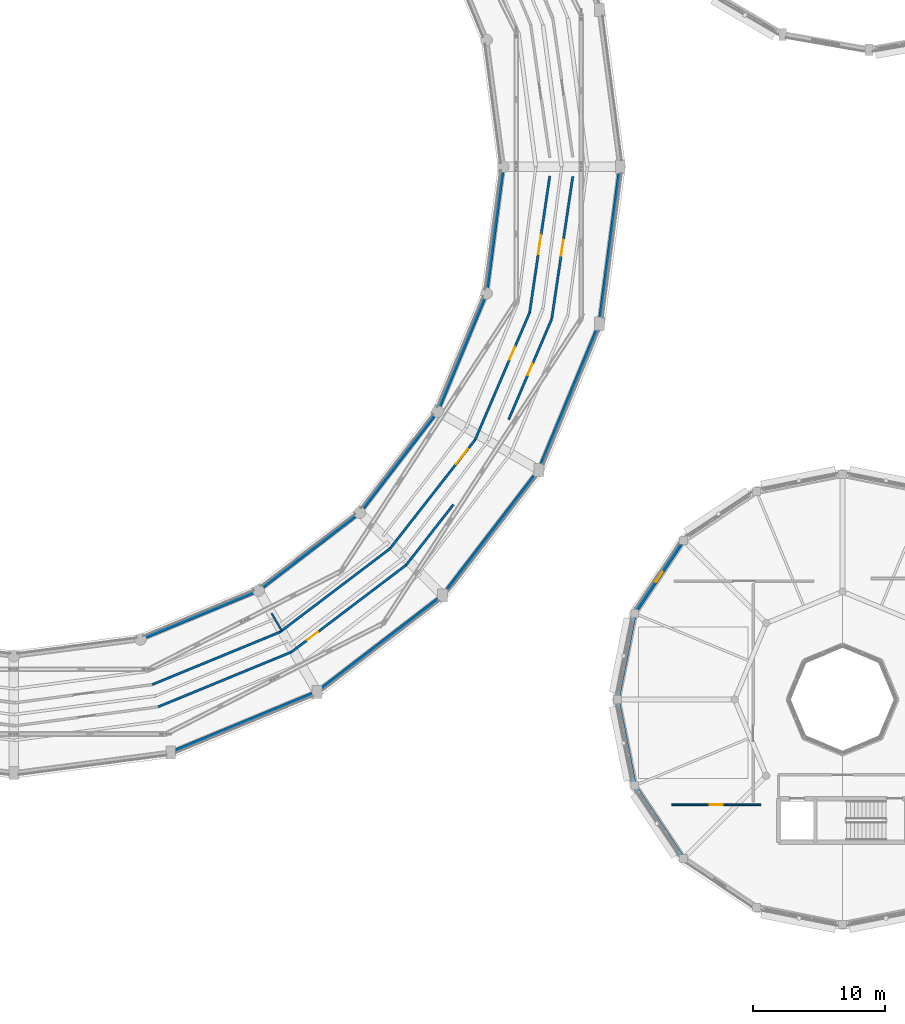
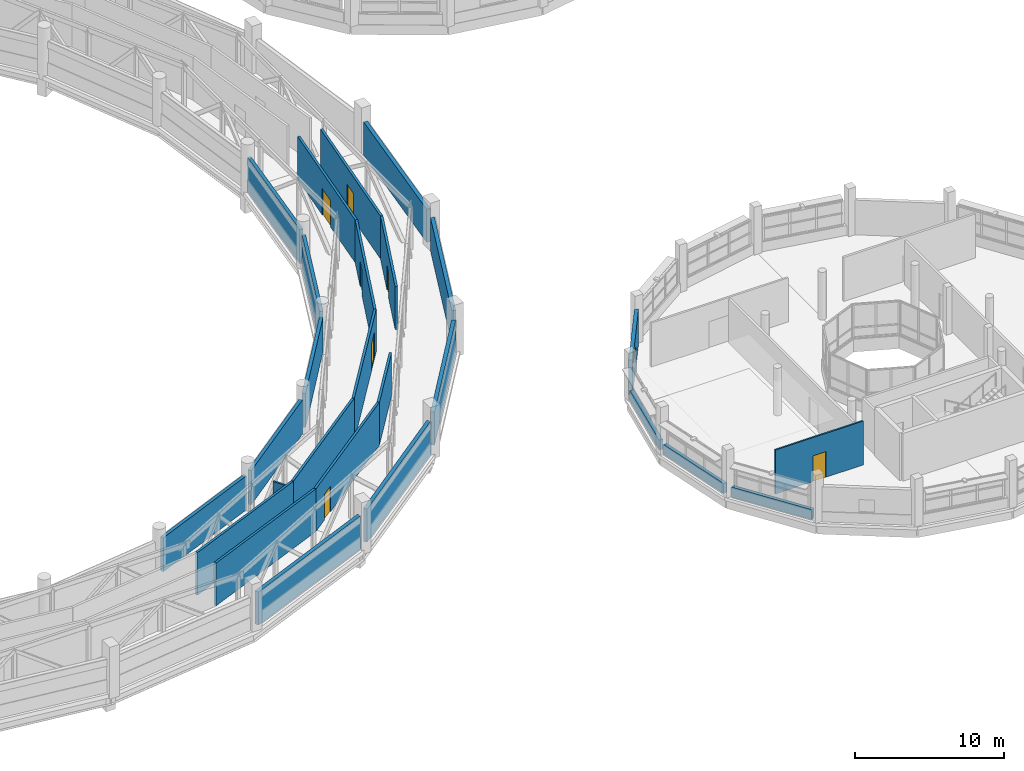
# One storey, part 102 of 121: 26 walls, 7 doors, 1 window, 8 openings.
"""IFC4 building model written with IfcOpenShell, lengths in metres."""

from ifc_helpers import new_model, si_unit, direction, frame, frame_2d, origin, place, context, subcontext, project, spatial, rectangle, extrude, material, layer, layer_set, type_object, element, fill, save


model = new_model("IFC4")

# Units and contexts
model_context = context("Model", 3, precision=1e-05, world=origin(), true_north=direction((0.0, 1.0)))
body_context = subcontext(model_context, "Body", "Model", "MODEL_VIEW")
ifc_project = project(units=[si_unit("LENGTHUNIT", "METRE"), si_unit("AREAUNIT", "SQUARE_METRE"), si_unit("VOLUMEUNIT", "CUBIC_METRE"), si_unit("PLANEANGLEUNIT", "RADIAN"), si_unit("MASSUNIT", "GRAM", prefix="KILO")], contexts=[model_context])

# Site, building, storey
site_placement = place(None, origin())
site = spatial("IfcSite", under=ifc_project, at=site_placement, CompositionType="ELEMENT")
building_placement = place(site_placement, origin())
building = spatial("IfcBuilding", under=site, at=building_placement, Name="Vespera Passage Community Centre", CompositionType="ELEMENT")
storey_placement = place(building_placement, frame((0.0, 0.0, 8.699951171875)))
storey = spatial("IfcBuildingStorey", under=building, at=storey_placement, Name="L02", CompositionType="ELEMENT", Elevation=8.699951171875)

# Walls
ifc_material_1 = material(Name="Gypsum board acoustic stud partition")
ifc_layer_1 = layer(ifc_material_1, 0.179931640625)
ifc_layer_set_1 = layer_set([ifc_layer_1], Name="Gypsum board acoustic stud partition")
wall_type_1 = type_object("IfcWallType", Name="WT-CORR-180I", PredefinedType="PARTITIONING", material=ifc_layer_set_1)
wall_1_placement = place(storey_placement, frame((88.97216796875, 24.44091796875, 0.0), z_axis=(0.0, 0.0, 1.0), x_axis=(0.924781004089, 0.380499795633, 0.0)))
element("IfcWall", 1, at=wall_1_placement, inside=storey, type_object=wall_type_1, Name="L02 Interior Partition V4-L02-CO20.1", PredefinedType="PARTITIONING", context=body_context, shape_type="SweptSolid", body=[
    extrude(rectangle(XDim=10.953369140625, YDim=0.179931640625, at=frame_2d((5.4765625, 0.0))), origin(), (0.0, 0.0, 1.0), 3.4951171875),
])
wall_2_placement = place(storey_placement, frame((88.5205078125, 26.131591796875, 0.0), z_axis=(0.0, 0.0, 1.0), x_axis=(0.924779649811, 0.380503087104, 0.0)))
element("IfcWall", 2, at=wall_2_placement, inside=storey, type_object=wall_type_1, Name="L02 Interior Partition V4-L02-CI20.1", PredefinedType="PARTITIONING", context=body_context, shape_type="SweptSolid", body=[
    extrude(rectangle(XDim=10.502197265625, YDim=0.179931640625, at=frame_2d((5.2509765625, 0.0))), origin(), (0.0, 0.0, 1.0), 3.4951171875),
])

# Wall, opening, door
wall_3_placement = place(storey_placement, frame((99.1015625, 28.608642578125, 0.0), z_axis=(0.0, 0.0, 1.0), x_axis=(0.796819302805, 0.604217674913, 0.0)))
wall_3 = element("IfcWall", 3, at=wall_3_placement, inside=storey, type_object=wall_type_1, Name="L02 Interior Partition V4-L02-CO21.1", PredefinedType="PARTITIONING", context=body_context, shape_type="SweptSolid", body=[
    extrude(rectangle(XDim=10.953369140625, YDim=0.179931640625, at=frame_2d((5.4765625, 0.0))), origin(), (0.0, 0.0, 1.0), 3.4951171875),
])
opening_1_placement = place(wall_3_placement, frame((1.485595703125, 0.0, 0.0)))
opening_1 = element("IfcOpeningElement", 4, at=opening_1_placement, cuts=wall_3, Name="Opening DT-CORR-105", PredefinedType="OPENING", context=body_context, shape_type="SweptSolid", body=[
    extrude(rectangle(XDim=1.050048828125, YDim=2.10009765625, at=frame_2d((0.52490234375, 1.050048828125))), frame((0.0, 0.099853515625, 0.0), z_axis=(0.0, -1.0, 0.0), x_axis=(1.0, 0.0, 0.0)), (0.0, 0.0, 1.0), 0.199951171875),
])
ifc_material_2 = material(Name="Painted hollow-metal acoustic door", Category="steel")
door_type_1 = type_object("IfcDoorType", Name="DT-CORR-105", OperationType="NOTDEFINED", PredefinedType="DOOR", material=ifc_material_2)
door_1_placement = place(opening_1_placement, origin())
door_1 = element("IfcDoor", 5, at=door_1_placement, inside=storey, type_object=door_type_1, Name="L02 Interior Door D-216", OperationType="SINGLE_SWING_RIGHT", OverallHeight=2.10009765625, OverallWidth=1.050048828125, PredefinedType="DOOR", context=body_context, shape_type="SweptSolid", body=[
    extrude(rectangle(XDim=1.050048828125, YDim=2.10009765625, at=frame_2d((0.52490234375, 1.050048828125))), frame((0.0, 0.02490234375, 0.0), z_axis=(0.0, -1.0, 0.0), x_axis=(1.0, 0.0, 0.0)), (0.0, 0.0, 1.0), 0.050048828125),
])
fill(opening_1, door_1)

# Walls
wall_4_placement = place(storey_placement, frame((98.232666015625, 30.127685546875, 0.0), z_axis=(0.0, 0.0, 1.0), x_axis=(0.796817082488, 0.604220602971, 0.0)))
element("IfcWall", 6, at=wall_4_placement, inside=storey, type_object=wall_type_1, Name="L02 Interior Partition V4-L02-CI21.1", PredefinedType="PARTITIONING", context=body_context, shape_type="SweptSolid", body=[
    extrude(rectangle(XDim=10.502197265625, YDim=0.179931640625, at=frame_2d((5.2509765625, 0.0))), origin(), (0.0, 0.0, 1.0), 3.4951171875),
])
wall_5_placement = place(storey_placement, frame((107.829345703125, 35.226806640625, 0.0), z_axis=(0.0, 0.0, 1.0), x_axis=(0.615919602682, 0.787809014313, 0.0)))
element("IfcWall", 7, at=wall_5_placement, inside=storey, type_object=wall_type_1, Name="L02 Interior Partition V4-L02-CO22.1", PredefinedType="PARTITIONING", context=body_context, shape_type="SweptSolid", body=[
    extrude(rectangle(XDim=5.82763671875, YDim=0.179931640625, at=frame_2d((2.913818359375, 0.0))), origin(), (0.0, 0.0, 1.0), 3.4951171875),
])

# Wall, opening, door
wall_6_placement = place(storey_placement, frame((106.60107421875, 36.473388671875, 0.0), z_axis=(0.0, 0.0, 1.0), x_axis=(0.615921441749, 0.787807576502, 0.0)))
wall_6 = element("IfcWall", 8, at=wall_6_placement, inside=storey, type_object=wall_type_1, Name="L02 Interior Partition V4-L02-CI22.1", PredefinedType="PARTITIONING", context=body_context, shape_type="SweptSolid", body=[
    extrude(rectangle(XDim=10.502197265625, YDim=0.179931640625, at=frame_2d((5.2509765625, 0.0))), origin(), (0.0, 0.0, 1.0), 3.4951171875),
])
opening_2_placement = place(wall_6_placement, frame((8.147216796875, 0.0, 0.0)))
opening_2 = element("IfcOpeningElement", 9, at=opening_2_placement, cuts=wall_6, Name="Opening DT-PLANT-145", PredefinedType="OPENING", context=body_context, shape_type="SweptSolid", body=[
    extrude(rectangle(XDim=1.449951171875, YDim=2.199951171875, at=frame_2d((0.72509765625, 1.10009765625))), frame((0.0, 0.099853515625, 0.0), z_axis=(0.0, -1.0, 0.0), x_axis=(1.0, 0.0, 0.0)), (0.0, 0.0, 1.0), 0.199951171875),
])
ifc_material_3 = material(Name="Painted hollow-metal acoustic door", Category="steel")
door_type_2 = type_object("IfcDoorType", Name="DT-PLANT-145", OperationType="NOTDEFINED", PredefinedType="DOOR", material=ifc_material_3)
door_2_placement = place(opening_2_placement, origin())
door_2 = element("IfcDoor", 10, at=door_2_placement, inside=storey, type_object=door_type_2, Name="L02 Interior Door D-217", OperationType="SINGLE_SWING_LEFT", OverallHeight=2.199951171875, OverallWidth=1.449951171875, PredefinedType="DOOR", context=body_context, shape_type="SweptSolid", body=[
    extrude(rectangle(XDim=1.449951171875, YDim=2.199951171875, at=frame_2d((0.72509765625, 1.10009765625))), frame((0.0, 0.02490234375, 0.0), z_axis=(0.0, -1.0, 0.0), x_axis=(1.0, 0.0, 0.0)), (0.0, 0.0, 1.0), 0.050048828125),
])
fill(opening_2, door_2)

wall_7_placement = place(storey_placement, frame((115.615478515625, 46.2802734375, 0.0), z_axis=(0.0, 0.0, 1.0), x_axis=(0.394103551971, 0.919066042417, 0.0)))
wall_7 = element("IfcWall", 11, at=wall_7_placement, inside=storey, type_object=wall_type_1, Name="L02 Interior Partition V4-L02-CO23.1", PredefinedType="PARTITIONING", context=body_context, shape_type="SweptSolid", body=[
    extrude(rectangle(XDim=8.3154296875, YDim=0.179931640625, at=frame_2d((4.15771484375, 0.0))), origin(), (0.0, 0.0, 1.0), 3.4951171875),
])
opening_3_placement = place(wall_7_placement, frame((3.6826171875, 0.0, 0.0)))
opening_3 = element("IfcOpeningElement", 12, at=opening_3_placement, cuts=wall_7, Name="Opening DT-CORR-95", PredefinedType="OPENING", context=body_context, shape_type="SweptSolid", body=[
    extrude(rectangle(XDim=0.949951171875, YDim=2.10009765625, at=frame_2d((0.47509765625, 1.050048828125))), frame((0.0, 0.099853515625, 0.0), z_axis=(0.0, -1.0, 0.0), x_axis=(1.0, 0.0, 0.0)), (0.0, 0.0, 1.0), 0.199951171875),
])
ifc_material_4 = material(Name="Painted hollow-metal acoustic door", Category="steel")
door_type_3 = type_object("IfcDoorType", Name="DT-CORR-95", OperationType="NOTDEFINED", PredefinedType="DOOR", material=ifc_material_4)
door_3_placement = place(opening_3_placement, origin())
door_3 = element("IfcDoor", 13, at=door_3_placement, inside=storey, type_object=door_type_3, Name="L02 Interior Door D-218", OperationType="SINGLE_SWING_RIGHT", OverallHeight=2.10009765625, OverallWidth=0.949951171875, PredefinedType="DOOR", context=body_context, shape_type="SweptSolid", body=[
    extrude(rectangle(XDim=0.949951171875, YDim=2.10009765625, at=frame_2d((0.47509765625, 1.050048828125))), frame((0.0, 0.02490234375, 0.0), z_axis=(0.0, -1.0, 0.0), x_axis=(1.0, 0.0, 0.0)), (0.0, 0.0, 1.0), 0.050048828125),
])
fill(opening_3, door_3)

wall_8_placement = place(storey_placement, frame((113.069580078125, 44.7470703125, 0.0), z_axis=(0.0, 0.0, 1.0), x_axis=(0.394135314845, 0.919052421569, 0.0)))
wall_8 = element("IfcWall", 14, at=wall_8_placement, inside=storey, type_object=wall_type_1, Name="L02 Interior Partition V4-L02-CI23.1", PredefinedType="PARTITIONING", context=body_context, shape_type="SweptSolid", body=[
    extrude(rectangle(XDim=10.50244140625, YDim=0.179931640625, at=frame_2d((5.251220703125, 0.0))), origin(), (0.0, 0.0, 1.0), 3.4951171875),
])
opening_4_placement = place(wall_8_placement, frame((6.61669921875, 0.0, 0.0)))
opening_4 = element("IfcOpeningElement", 15, at=opening_4_placement, cuts=wall_8, Name="Opening DT-CORR-105", PredefinedType="OPENING", context=body_context, shape_type="SweptSolid", body=[
    extrude(rectangle(XDim=1.050048828125, YDim=2.10009765625, at=frame_2d((0.52490234375, 1.050048828125))), frame((0.0, 0.099853515625, 0.0), z_axis=(0.0, -1.0, 0.0), x_axis=(1.0, 0.0, 0.0)), (0.0, 0.0, 1.0), 0.199951171875),
])
door_4_placement = place(opening_4_placement, origin())
door_4 = element("IfcDoor", 16, at=door_4_placement, inside=storey, type_object=door_type_1, Name="L02 Interior Door D-219", OperationType="SINGLE_SWING_LEFT", OverallHeight=2.10009765625, OverallWidth=1.050048828125, PredefinedType="DOOR", context=body_context, shape_type="SweptSolid", body=[
    extrude(rectangle(XDim=1.050048828125, YDim=2.10009765625, at=frame_2d((0.52490234375, 1.050048828125))), frame((0.0, 0.02490234375, 0.0), z_axis=(0.0, -1.0, 0.0), x_axis=(1.0, 0.0, 0.0)), (0.0, 0.0, 1.0), 0.050048828125),
])
fill(opening_4, door_4)

wall_9_placement = place(storey_placement, frame((118.892578125, 53.922607421875, 0.0), z_axis=(0.0, 0.0, 1.0), x_axis=(0.146150405205, 0.989262381302, 0.0)))
wall_9 = element("IfcWall", 17, at=wall_9_placement, inside=storey, type_object=wall_type_1, Name="L02 Interior Partition V4-L02-CO24.1", PredefinedType="PARTITIONING", context=body_context, shape_type="SweptSolid", body=[
    extrude(rectangle(XDim=10.953369140625, YDim=0.179931640625, at=frame_2d((5.4765625, 0.0))), origin(), (0.0, 0.0, 1.0), 3.4951171875),
])
opening_5_placement = place(wall_9_placement, frame((4.876708984375, 0.0, 0.0)))
opening_5 = element("IfcOpeningElement", 18, at=opening_5_placement, cuts=wall_9, Name="Opening DT-CORR-120", PredefinedType="OPENING", context=body_context, shape_type="SweptSolid", body=[
    extrude(rectangle(XDim=1.199951171875, YDim=2.14990234375, at=frame_2d((0.60009765625, 1.074951171875))), frame((0.0, 0.099853515625, 0.0), z_axis=(0.0, -1.0, 0.0), x_axis=(1.0, 0.0, 0.0)), (0.0, 0.0, 1.0), 0.199951171875),
])
ifc_material_5 = material(Name="Painted hollow-metal acoustic door", Category="steel")
door_type_4 = type_object("IfcDoorType", Name="DT-CORR-120", OperationType="NOTDEFINED", PredefinedType="DOOR", material=ifc_material_5)
door_5_placement = place(opening_5_placement, origin())
door_5 = element("IfcDoor", 19, at=door_5_placement, inside=storey, type_object=door_type_4, Name="L02 Interior Door D-220", OperationType="SINGLE_SWING_RIGHT", OverallHeight=2.14990234375, OverallWidth=1.199951171875, PredefinedType="DOOR", context=body_context, shape_type="SweptSolid", body=[
    extrude(rectangle(XDim=1.199951171875, YDim=2.14990234375, at=frame_2d((0.60009765625, 1.074951171875))), frame((0.0, 0.02490234375, 0.0), z_axis=(0.0, -1.0, 0.0), x_axis=(1.0, 0.0, 0.0)), (0.0, 0.0, 1.0), 0.050048828125),
])
fill(opening_5, door_5)

wall_10_placement = place(storey_placement, frame((117.208984375, 54.3994140625, 0.0), z_axis=(0.0, 0.0, 1.0), x_axis=(0.14615183327, 0.989262170323, 0.0)))
wall_10 = element("IfcWall", 20, at=wall_10_placement, inside=storey, type_object=wall_type_1, Name="L02 Interior Partition V4-L02-CI24.1", PredefinedType="PARTITIONING", context=body_context, shape_type="SweptSolid", body=[
    extrude(rectangle(XDim=10.502197265625, YDim=0.179931640625, at=frame_2d((5.2509765625, 0.0))), origin(), (0.0, 0.0, 1.0), 3.4951171875),
])
opening_6_placement = place(wall_10_placement, frame((4.501220703125, 0.0, 0.0)))
opening_6 = element("IfcOpeningElement", 21, at=opening_6_placement, cuts=wall_10, Name="Opening DT-CORR-150", PredefinedType="OPENING", context=body_context, shape_type="SweptSolid", body=[
    extrude(rectangle(XDim=1.5, YDim=2.14990234375, at=frame_2d((0.75, 1.074951171875))), frame((0.0, 0.099853515625, 0.0), z_axis=(0.0, -1.0, 0.0), x_axis=(1.0, 0.0, 0.0)), (0.0, 0.0, 1.0), 0.199951171875),
])
ifc_material_6 = material(Name="Painted hollow-metal acoustic door", Category="steel")
door_type_5 = type_object("IfcDoorType", Name="DT-CORR-150", OperationType="NOTDEFINED", PredefinedType="DOOR", material=ifc_material_6)
door_6_placement = place(opening_6_placement, origin())
door_6 = element("IfcDoor", 22, at=door_6_placement, inside=storey, type_object=door_type_5, Name="L02 Interior Door D-221", OperationType="SINGLE_SWING_LEFT", OverallHeight=2.14990234375, OverallWidth=1.5, PredefinedType="DOOR", context=body_context, shape_type="SweptSolid", body=[
    extrude(rectangle(XDim=1.5, YDim=2.14990234375, at=frame_2d((0.75, 1.074951171875))), frame((0.0, 0.02490234375, 0.0), z_axis=(0.0, -1.0, 0.0), x_axis=(1.0, 0.0, 0.0)), (0.0, 0.0, 1.0), 0.050048828125),
])
fill(opening_6, door_6)

# Walls
ifc_material_7 = material(Name="Precast concrete f'c 40 MPa", Category="concrete")
ifc_layer_2 = layer(ifc_material_7, 0.25)
ifc_layer_set_2 = layer_set([ifc_layer_2], Name="Precast concrete f'c 40 MPa")
wall_type_2 = type_object("IfcWallType", Name="WT-EXT-250E", PredefinedType="STANDARD", material=ifc_layer_set_2)
wall_11_placement = place(storey_placement, frame((87.905029296875, 29.682373046875, 0.0), z_axis=(0.0, 0.0, 1.0), x_axis=(0.923880324771, 0.382681519675, 0.0)))
element("IfcWall", 23, at=wall_11_placement, inside=storey, type_object=wall_type_2, Name="V4 L02 Inner Court Precast Wall 19", PredefinedType="STANDARD", context=body_context, shape_type="SweptSolid", body=[
    extrude(rectangle(XDim=9.111572265625, YDim=0.25, at=frame_2d((4.5556640625, 0.0))), origin(), (0.0, 0.0, 1.0), 2.78955078125),
])
for number, where, z_axis, x_axis, name in (
    (24, (96.880126953125, 33.498779296875, 0.0), (0.0, 0.0, 1.0), (0.793347085527, 0.608769580289, 0.0), "V4 L02 Inner Court Precast Wall 20"),
    (25, (104.519287109375, 39.475830078125, 0.0), (0.0, 0.0, 1.0), (0.608769580289, 0.793347085527, 0.0), "V4 L02 Inner Court Precast Wall 21"),
):
    element("IfcWall", number, at=place(storey_placement, frame(where, z_axis=z_axis, x_axis=x_axis)), inside=storey, type_object=wall_type_2, Name=name, PredefinedType="STANDARD", context=body_context, shape_type="SweptSolid", body=[
        extrude(rectangle(XDim=9.0048828125, YDim=0.25, at=frame_2d((4.50244140625, 0.0))), origin(), (0.0, 0.0, 1.0), 2.78955078125),
    ])
wall_12_placement = place(storey_placement, frame((110.330810546875, 47.177001953125, 0.0), z_axis=(0.0, 0.0, 1.0), x_axis=(0.382681519675, 0.923880324771, 0.0)))
element("IfcWall", 26, at=wall_12_placement, inside=storey, type_object=wall_type_2, Name="V4 L02 Inner Court Precast Wall 22", PredefinedType="STANDARD", context=body_context, shape_type="SweptSolid", body=[
    extrude(rectangle(XDim=9.111572265625, YDim=0.25, at=frame_2d((4.5556640625, 0.0))), origin(), (0.0, 0.0, 1.0), 2.78955078125),
])
wall_13_placement = place(storey_placement, frame((113.968505859375, 56.147216796875, 0.0), z_axis=(0.0, 0.0, 1.0), x_axis=(0.130549698469, 0.991441766434, 0.0)))
element("IfcWall", 27, at=wall_13_placement, inside=storey, type_object=wall_type_2, Name="V4 L02 Inner Court Precast Wall 23", PredefinedType="STANDARD", context=body_context, shape_type="SweptSolid", body=[
    extrude(rectangle(XDim=9.156005859375, YDim=0.25, at=frame_2d((4.578125, 0.0))), origin(), (0.0, 0.0, 1.0), 2.78955078125),
])
ifc_material_8 = material(Name="Precast concrete f'c 40 MPa", Category="concrete")
ifc_layer_3 = layer(ifc_material_8, 0.280029296875)
ifc_layer_set_3 = layer_set([ifc_layer_3], Name="Precast concrete f'c 40 MPa")
wall_type_3 = type_object("IfcWallType", Name="WT-EXT-280E", PredefinedType="STANDARD", material=ifc_layer_set_3)
wall_14_placement = place(storey_placement, frame((100.697998046875, 25.430419921875, 0.0), z_axis=(0.0, 0.0, 1.0), x_axis=(-0.923883530636, -0.382673779896, 0.0)))
element("IfcWall", 28, at=wall_14_placement, inside=storey, type_object=wall_type_3, Name="V4 L02 Outer Precast Wall 19", PredefinedType="STANDARD", context=body_context, shape_type="SweptSolid", body=[
    extrude(rectangle(XDim=11.2724609375, YDim=0.280029296875, at=frame_2d((5.63623046875, 0.0))), origin(), (0.0, 0.0, 1.0), 2.70556640625),
])
wall_15_placement = place(storey_placement, frame((110.242431640625, 32.6298828125, 0.0), z_axis=(0.0, 0.0, 1.0), x_axis=(-0.793342066679, -0.608776120785, 0.0)))
element("IfcWall", 29, at=wall_15_placement, inside=storey, type_object=wall_type_3, Name="V4 L02 Outer Precast Wall 20", PredefinedType="STANDARD", context=body_context, shape_type="SweptSolid", body=[
    extrude(rectangle(XDim=11.13916015625, YDim=0.280029296875, at=frame_2d((5.569580078125, 0.0))), origin(), (0.0, 0.0, 1.0), 2.70556640625),
])
wall_16_placement = place(storey_placement, frame((117.56396484375, 41.981201171875, 0.0), z_axis=(0.0, 0.0, 1.0), x_axis=(-0.608753590889, -0.79335935463, 0.0)))
element("IfcWall", 30, at=wall_16_placement, inside=storey, type_object=wall_type_3, Name="V4 L02 Outer Precast Wall 21", PredefinedType="STANDARD", context=body_context, shape_type="SweptSolid", body=[
    extrude(rectangle(XDim=10.852294921875, YDim=0.280029296875, at=frame_2d((5.42626953125, 0.0))), origin(), (0.0, 0.0, 1.0), 2.70556640625),
])
wall_17_placement = place(storey_placement, frame((122.331787109375, 53.091552734375, 0.0), z_axis=(0.0, 0.0, 1.0), x_axis=(-0.382695413149, -0.923874569817, 0.0)))
element("IfcWall", 31, at=wall_17_placement, inside=storey, type_object=wall_type_3, Name="V4 L02 Outer Precast Wall 22", PredefinedType="STANDARD", context=body_context, shape_type="SweptSolid", body=[
    extrude(rectangle(XDim=11.002197265625, YDim=0.280029296875, at=frame_2d((5.5009765625, 0.0))), origin(), (0.0, 0.0, 1.0), 2.70556640625),
])
wall_18_placement = place(storey_placement, frame((124.037353515625, 65.02490234375, 0.0), z_axis=(0.0, 0.0, 1.0), x_axis=(-0.130513242145, -0.991446566197, 0.0)))
element("IfcWall", 32, at=wall_18_placement, inside=storey, type_object=wall_type_3, Name="V4 L02 Outer Precast Wall 23", PredefinedType="STANDARD", context=body_context, shape_type="SweptSolid", body=[
    extrude(rectangle(XDim=11.075927734375, YDim=0.280029296875, at=frame_2d((5.5380859375, 0.0))), origin(), (0.0, 0.0, 1.0), 2.70556640625),
])

# Wall, opening, window
wall_19_placement = place(storey_placement, frame((125.38818359375, 31.822998046875, 0.0), z_axis=(0.0, 0.0, 1.0), x_axis=(0.555573083966, 0.831467707354, 0.0)))
wall_19 = element("IfcWall", 33, at=wall_19_placement, inside=storey, type_object=wall_type_3, Name="V3 L02 Facade Wall 7", PredefinedType="STANDARD", context=body_context, shape_type="SweptSolid", body=[
    extrude(rectangle(XDim=6.00048828125, YDim=0.280029296875, at=frame_2d((3.000244140625, 0.0))), origin(), (0.0, 0.0, 1.0), 2.8349609375),
])
opening_7_placement = place(wall_19_placement, frame((2.55029296875, 0.0, 0.85009765625)))
opening_7 = element("IfcOpeningElement", 34, at=opening_7_placement, cuts=wall_19, Name="Opening WN-01E", PredefinedType="OPENING", context=body_context, shape_type="SweptSolid", body=[
    extrude(rectangle(XDim=0.89990234375, YDim=0.89990234375, at=frame_2d((0.449951171875, 0.449951171875))), frame((0.0, 0.150146484375, 0.0), z_axis=(0.0, -1.0, 0.0), x_axis=(1.0, 0.0, 0.0)), (0.0, 0.0, 1.0), 0.300048828125),
])
ifc_material_9 = material(Name="Low-E insulated vision glass", Category="glass")
window_type = type_object("IfcWindowType", Name="WN-01E", PartitioningType="SINGLE_PANEL", PredefinedType="WINDOW", material=ifc_material_9)
window_placement = place(opening_7_placement, origin())
window = element("IfcWindow", 35, at=window_placement, inside=storey, type_object=window_type, Name="Window WN-V3-L02-P07", OverallHeight=0.89990234375, OverallWidth=0.89990234375, PartitioningType="SINGLE_PANEL", PredefinedType="WINDOW", context=body_context, shape_type="SweptSolid", body=[
    extrude(rectangle(XDim=0.89990234375, YDim=0.89990234375, at=frame_2d((0.449951171875, 0.449951171875))), frame((0.0, 0.030029296875, 0.0), z_axis=(0.0, -1.0, 0.0), x_axis=(1.0, 0.0, 0.0)), (0.0, 0.0, 1.0), 0.06005859375),
])
fill(opening_7, window)

# Walls
for number, where, z_axis, x_axis, name in (
    (36, (123.954833984375, 25.275390625, 0.0), (0.0, 0.0, 1.0), (0.195101780047, 0.98078300119, 0.0), "V3 L02 Spandrel 8"),
    (37, (125.14697265625, 18.731689453125, 0.0), (0.0, 0.0, 1.0), (-0.195101780047, 0.98078300119, 0.0), "V3 L02 Spandrel 9"),
):
    element("IfcWall", number, at=place(storey_placement, frame(where, z_axis=z_axis, x_axis=x_axis)), inside=storey, type_object=wall_type_3, Name=name, PredefinedType="STANDARD", context=body_context, shape_type="SweptSolid", body=[
        extrude(rectangle(XDim=6.1103515625, YDim=0.280029296875, at=frame_2d((3.05517578125, 0.0))), origin(), (0.0, 0.0, 1.0), 0.800048828125),
    ])
wall_20_placement = place(storey_placement, frame((128.721923828125, 13.187744140625, 0.0), z_axis=(0.0, 0.0, 1.0), x_axis=(-0.555573083966, 0.831467707354, 0.0)))
element("IfcWall", 38, at=wall_20_placement, inside=storey, type_object=wall_type_3, Name="V3 L02 Spandrel 10", PredefinedType="STANDARD", context=body_context, shape_type="SweptSolid", body=[
    extrude(rectangle(XDim=6.00048828125, YDim=0.280029296875, at=frame_2d((3.000244140625, 0.0))), origin(), (0.0, 0.0, 1.0), 0.800048828125),
])
ifc_material_10 = material(Name="Gypsum board acoustic stud partition")
ifc_layer_4 = layer(ifc_material_10, 0.139892578125)
ifc_layer_set_4 = layer_set([ifc_layer_4], Name="Gypsum board acoustic stud partition")
wall_type_4 = type_object("IfcWallType", Name="WT-ROOM-140I", PredefinedType="PARTITIONING", material=ifc_layer_set_4)
wall_21_placement = place(storey_placement, frame((97.5947265625, 31.560791015625, 0.0), z_axis=(0.0, 0.0, 1.0), x_axis=(0.500042977895, -0.866000589063, 0.0)))
element("IfcWall", 39, at=wall_21_placement, inside=storey, type_object=wall_type_4, Name="L02 Interior Partition V4-L02-RI24-3.2", PredefinedType="PARTITIONING", context=body_context, shape_type="SweptSolid", body=[
    extrude(rectangle(XDim=1.560302734375, YDim=0.139892578125, at=frame_2d((0.7802734375, 0.0))), origin(), (0.0, 0.0, 1.0), 2.856689453125),
])

# Wall, opening, door
ifc_material_11 = material(Name="Moisture-resistant gypsum stud partition")
ifc_layer_5 = layer(ifc_material_11, 0.1201171875)
ifc_layer_set_5 = layer_set([ifc_layer_5], Name="Moisture-resistant gypsum stud partition")
wall_type_5 = type_object("IfcWallType", Name="WT-WET-120I", PredefinedType="PARTITIONING", material=ifc_layer_set_5)
wall_22_placement = place(storey_placement, frame((128.0, 17.0, 0.0), z_axis=(0.0, 0.0, 1.0), x_axis=(1.0, 0.0, 0.0)))
wall_22 = element("IfcWall", 40, at=wall_22_placement, inside=storey, type_object=wall_type_5, Name="L02 Interior Partition V3-L02-WCSW.1", PredefinedType="PARTITIONING", context=body_context, shape_type="SweptSolid", body=[
    extrude(rectangle(XDim=6.800048828125, YDim=0.1201171875, at=frame_2d((3.39990234375, 0.0))), origin(), (0.0, 0.0, 1.0), 3.594970703125),
])
opening_8_placement = place(wall_22_placement, frame((2.909912109375, 0.0, 0.0)))
opening_8 = element("IfcOpeningElement", 41, at=opening_8_placement, cuts=wall_22, Name="Opening DT-INT-98", PredefinedType="OPENING", context=body_context, shape_type="SweptSolid", body=[
    extrude(rectangle(XDim=0.97998046875, YDim=2.10009765625, at=frame_2d((0.489990234375, 1.050048828125))), frame((0.0, 0.070068359375, 0.0), z_axis=(0.0, -1.0, 0.0), x_axis=(1.0, 0.0, 0.0)), (0.0, 0.0, 1.0), 0.14013671875),
])
ifc_material_12 = material(Name="Solid-core maple veneer door", Category="wood")
door_type_6 = type_object("IfcDoorType", Name="DT-INT-98", OperationType="NOTDEFINED", PredefinedType="DOOR", material=ifc_material_12)
door_7_placement = place(opening_8_placement, origin())
door_7 = element("IfcDoor", 42, at=door_7_placement, inside=storey, type_object=door_type_6, Name="L02 Interior Door D-371", OperationType="SINGLE_SWING_LEFT", OverallHeight=2.10009765625, OverallWidth=0.97998046875, PredefinedType="DOOR", context=body_context, shape_type="SweptSolid", body=[
    extrude(rectangle(XDim=0.97998046875, YDim=2.10009765625, at=frame_2d((0.489990234375, 1.050048828125))), frame((0.0, 0.02490234375, 0.0), z_axis=(0.0, -1.0, 0.0), x_axis=(1.0, 0.0, 0.0)), (0.0, 0.0, 1.0), 0.050048828125),
])
fill(opening_8, door_7)

save(model, "model.ifc")
